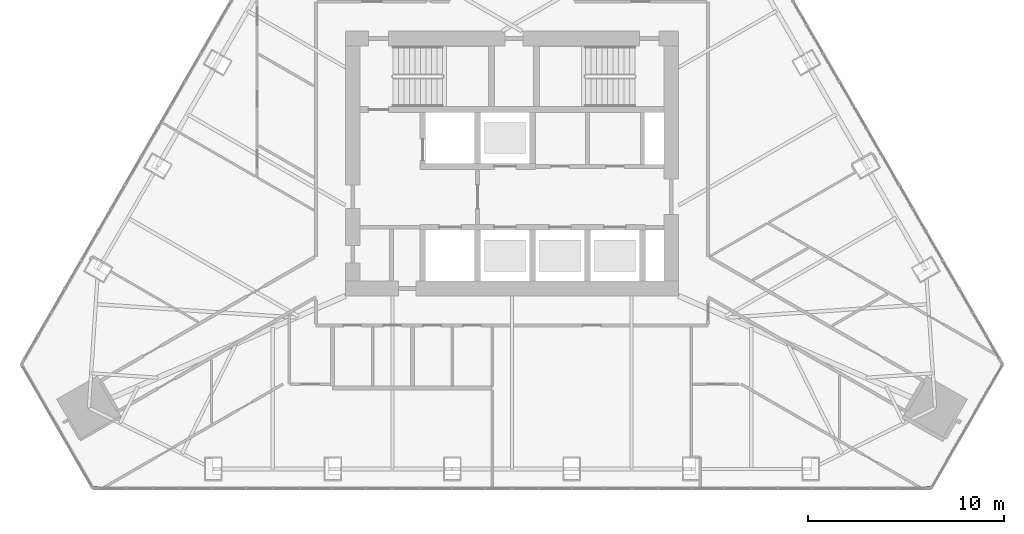
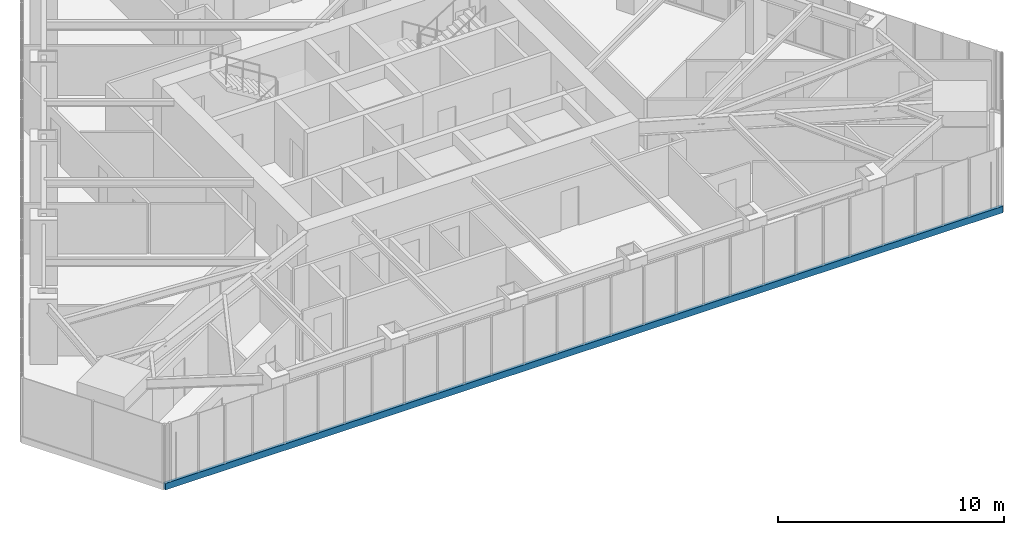
# One storey, part 3 of 20: 1 member, 1 element without a shape of its own.
"""IFC4 building model written with IfcOpenShell, lengths in metres."""

from ifc_helpers import new_model, si_unit, direction, frame, origin, origin_2d, place, context, subcontext, project, spatial, rectangle, extrude, material, layer, layer_set, material_profile, profile_set, type_object, element, aggregate, save


model = new_model("IFC4")

# Units and contexts
model_context = context("Model", 3, precision=1e-05, world=origin(), true_north=direction((0.0, 1.0)))
body_context = subcontext(model_context, "Body", "Model", "MODEL_VIEW")
ifc_project = project(units=[si_unit("LENGTHUNIT", "METRE"), si_unit("AREAUNIT", "SQUARE_METRE"), si_unit("VOLUMEUNIT", "CUBIC_METRE"), si_unit("PLANEANGLEUNIT", "RADIAN"), si_unit("MASSUNIT", "GRAM", prefix="KILO")], contexts=[model_context])

# Site, building, storey
site_placement = place(None, origin())
site = spatial("IfcSite", under=ifc_project, at=site_placement, CompositionType="ELEMENT")
building_placement = place(site_placement, origin())
building = spatial("IfcBuilding", under=site, at=building_placement, Name="Firuza Gate Tower and Library", CompositionType="ELEMENT")
storey_placement = place(building_placement, frame((0.0, 0.0, 305.60009765625)))
storey = spatial("IfcBuildingStorey", under=building, at=storey_placement, Name="L74", CompositionType="ELEMENT", Elevation=305.60009765625)

# Curtain wall, member
ifc_material_1 = material(Name="Aluminium 6063-T6", Category="aluminium")
ifc_layer = layer(ifc_material_1, 0.14990234375)
ifc_layer_set = layer_set([ifc_layer], Name="Unitised curtain wall, residences")
curtain_wall_type = type_object("IfcCurtainWallType", Name="Unitised curtain wall, residences", PredefinedType="NOTDEFINED", material=ifc_layer_set)
curtain_wall_placement = place(storey_placement, origin())
curtain_wall = element("IfcCurtainWall", 1, at=curtain_wall_placement, inside=storey, type_object=curtain_wall_type, Name="CW3 L74 S face", PredefinedType="NOTDEFINED")
ifc_material_2 = material(Name="Aluminium 6063-T6", Category="aluminium")
ifc_material_profile = material_profile(ifc_material_2, rectangle(XDim=0.14990234375, YDim=0.35009765625, at=origin_2d()))
ifc_profile_set = profile_set([ifc_material_profile], Name="Aluminium 6063-T6")
member_type = type_object("IfcMemberType", Name="Curtain wall transom 350x150", PredefinedType="USERDEFINED", material=ifc_profile_set)
member_placement = place(storey_placement, frame((53.62060546875, 58.44970703125, -0.025146484375), z_axis=(1.0, 0.0, 0.0), x_axis=(0.0, 1.0, 0.0)))
member = element("IfcMember", 2, at=member_placement, type_object=member_type, Name="Transom", ObjectType="TRANSOM", PredefinedType="USERDEFINED", context=body_context, shape_type="SweptSolid", body=[
    extrude(rectangle(XDim=0.14990234375, YDim=0.35009765625, at=origin_2d()), origin(), (0.0, 0.0, 1.0), 42.7587890625),
])
aggregate(curtain_wall, [member])

save(model, "model.ifc")
